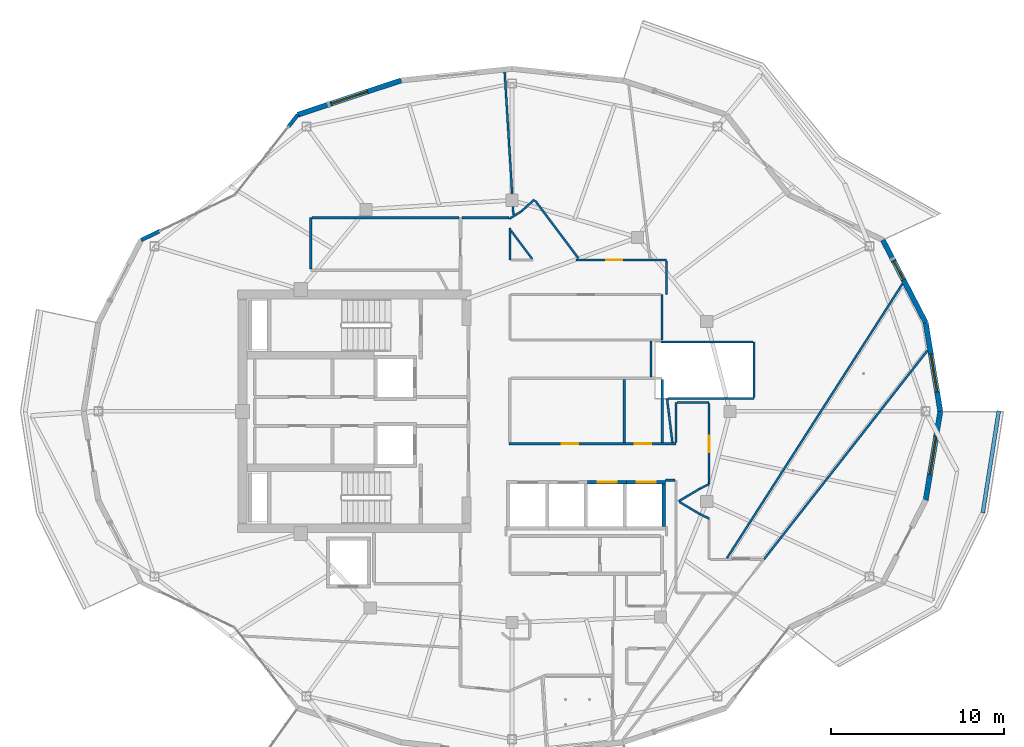
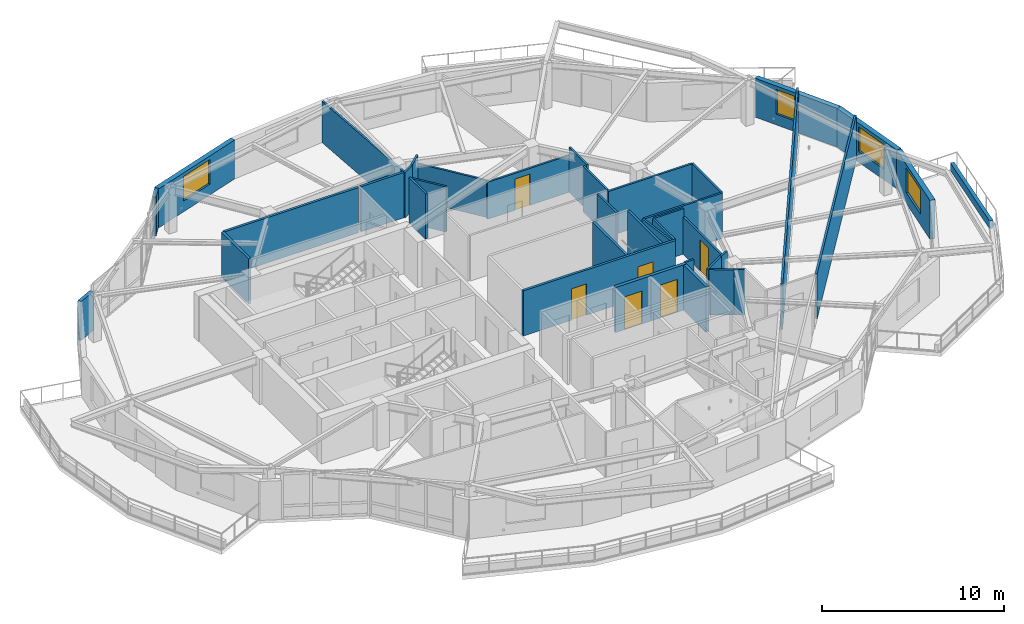
# One storey, part 10 of 19: 40 walls, 6 doors, 4 windows, 10 openings.
"""IFC4 building model written with IfcOpenShell, lengths in metres."""

from ifc_helpers import new_model, si_unit, direction, frame, frame_2d, origin, place, context, subcontext, project, spatial, rectangle, extrude, material, layer, layer_set, type_object, element, fill, save


model = new_model("IFC4")

# Units and contexts
model_context = context("Model", 3, precision=1e-05, world=origin(), true_north=direction((0.0, 1.0)))
body_context = subcontext(model_context, "Body", "Model", "MODEL_VIEW")
ifc_project = project(units=[si_unit("LENGTHUNIT", "METRE"), si_unit("AREAUNIT", "SQUARE_METRE"), si_unit("VOLUMEUNIT", "CUBIC_METRE"), si_unit("PLANEANGLEUNIT", "RADIAN"), si_unit("MASSUNIT", "GRAM", prefix="KILO")], contexts=[model_context])

# Site, building, storey
site_placement = place(None, origin())
site = spatial("IfcSite", under=ifc_project, at=site_placement, CompositionType="ELEMENT")
building_placement = place(site_placement, origin())
building = spatial("IfcBuilding", under=site, at=building_placement, Name="Kolvaren Gate Tower and Convention Centre", CompositionType="ELEMENT")
storey_placement = place(building_placement, frame((0.0, 0.0, 212.89990234375)))
storey = spatial("IfcBuildingStorey", under=building, at=storey_placement, Name="L56", CompositionType="ELEMENT", Elevation=212.89990234375)

# Walls
ifc_material_1 = material(Name="Fire-Rated Acoustic Gypsum Stud Partition", Category="gypsum")
ifc_layer_1 = layer(ifc_material_1, 0.1201171875)
ifc_layer_set_1 = layer_set([ifc_layer_1], Name="Fire-Rated Acoustic Gypsum Stud Partition")
wall_type_1 = type_object("IfcWallType", Name="ARCH-WL-PART-120", PredefinedType="PARTITIONING", material=ifc_layer_set_1)
wall_1_placement = place(storey_placement, frame((30.0, 35.75, 0.0), z_axis=(0.0, 0.0, 1.0), x_axis=(0.0, 1.0, 0.0)))
element("IfcWall", 1, at=wall_1_placement, inside=storey, type_object=wall_type_1, Name="Interior Partition WL-L56-INT-017", PredefinedType="PARTITIONING", context=body_context, shape_type="SweptSolid", body=[
    extrude(rectangle(XDim=1.8369140625, YDim=0.1201171875, at=frame_2d((0.91845703125, 0.0))), origin(), (0.0, 0.0, 1.0), 3.030029296875),
])
wall_2_placement = place(storey_placement, frame((38.800048828125, 31.1201171875, 0.0), z_axis=(0.0, 0.0, 1.0), x_axis=(0.0, 1.0, 0.0)))
element("IfcWall", 2, at=wall_2_placement, inside=storey, type_object=wall_type_1, Name="Interior Partition WL-L56-INT-022", PredefinedType="PARTITIONING", context=body_context, shape_type="SweptSolid", body=[
    extrude(rectangle(XDim=2.6298828125, YDim=0.1201171875, at=frame_2d((1.31494140625, 0.0))), origin(), (0.0, 0.0, 1.0), 3.030029296875),
])
wall_3_placement = place(storey_placement, frame((29.9599609375, 38.123046875, 0.0), z_axis=(0.0, 0.0, 1.0), x_axis=(0.852506956574, 0.522715877885, 0.0)))
element("IfcWall", 3, at=wall_3_placement, inside=storey, type_object=wall_type_1, Name="Interior Partition WL-L56-INT-031", PredefinedType="PARTITIONING", context=body_context, shape_type="SweptSolid", body=[
    extrude(rectangle(XDim=0.81884765625, YDim=0.1201171875, at=frame_2d((0.409423828125, 0.0))), origin(), (0.0, 0.0, 1.0), 3.030029296875),
])
wall_4_placement = place(storey_placement, frame((30.657958984375, 38.551025390625, 0.0), z_axis=(0.0, 0.0, 1.0), x_axis=(0.74084279818, 0.671678456097, 0.0)))
element("IfcWall", 4, at=wall_4_placement, inside=storey, type_object=wall_type_1, Name="Interior Partition WL-L56-INT-032", PredefinedType="PARTITIONING", context=body_context, shape_type="SweptSolid", body=[
    extrude(rectangle(XDim=1.027099609375, YDim=0.1201171875, at=frame_2d((0.513671875, 0.0))), origin(), (0.0, 0.0, 1.0), 3.030029296875),
])
wall_5_placement = place(storey_placement, frame((31.456298828125, 39.191162109375, 0.0), z_axis=(0.0, 0.0, 1.0), x_axis=(0.600056078533, -0.799957938029, 0.0)))
element("IfcWall", 5, at=wall_5_placement, inside=storey, type_object=wall_type_1, Name="Interior Partition WL-L56-INT-033", PredefinedType="PARTITIONING", context=body_context, shape_type="SweptSolid", body=[
    extrude(rectangle(XDim=4.17919921875, YDim=0.1201171875, at=frame_2d((2.089599609375, 0.0))), origin(), (0.0, 0.0, 1.0), 2.47802734375),
])

# Wall, opening, door
wall_6_placement = place(storey_placement, frame((33.8330078125, 35.75, 0.0), z_axis=(0.0, 0.0, 1.0), x_axis=(1.0, 0.0, 0.0)))
wall_6 = element("IfcWall", 6, at=wall_6_placement, inside=storey, type_object=wall_type_1, Name="Interior Partition WL-L56-INT-035", PredefinedType="PARTITIONING", context=body_context, shape_type="SweptSolid", body=[
    extrude(rectangle(XDim=5.217041015625, YDim=0.1201171875, at=frame_2d((2.6083984375, 0.0))), origin(), (0.0, 0.0, 1.0), 2.47802734375),
])
opening_1_placement = place(wall_6_placement, frame((1.726318359375, 0.0, 0.0)))
opening_1 = element("IfcOpeningElement", 7, at=opening_1_placement, cuts=wall_6, Name="Opening DR-01", PredefinedType="OPENING", context=body_context, shape_type="SweptSolid", body=[
    extrude(rectangle(XDim=0.949951171875, YDim=2.10009765625, at=frame_2d((0.47509765625, 1.050048828125))), frame((0.0, 0.070068359375, 0.0), z_axis=(0.0, -1.0, 0.0), x_axis=(1.0, 0.0, 0.0)), (0.0, 0.0, 1.0), 0.14013671875),
])
ifc_material_2 = material(Name="Painted Architectural Steelwork ASTM A500 Grade C 345 MPa", Category="steel")
door_type_1 = type_object("IfcDoorType", Name="ARCH-DR-RISER-950", OperationType="SINGLE_SWING_RIGHT", PredefinedType="DOOR", material=ifc_material_2)
door_1_placement = place(opening_1_placement, origin())
door_1 = element("IfcDoor", 8, at=door_1_placement, inside=storey, type_object=door_type_1, Name="Resident Quiet Study Office Door", OperationType="SINGLE_SWING_RIGHT", OverallHeight=2.10009765625, OverallWidth=0.949951171875, PredefinedType="DOOR", context=body_context, shape_type="SweptSolid", body=[
    extrude(rectangle(XDim=0.949951171875, YDim=2.10009765625, at=frame_2d((0.47509765625, 1.050048828125))), frame((0.0, 0.02490234375, 0.0), z_axis=(0.0, -1.0, 0.0), x_axis=(1.0, 0.0, 0.0)), (0.0, 0.0, 1.0), 0.050048828125),
])
fill(opening_1, door_1)

# Walls
wall_7_placement = place(storey_placement, frame((39.050048828125, 33.75, 0.0), z_axis=(0.0, 0.0, 1.0), x_axis=(0.0, 1.0, 0.0)))
element("IfcWall", 9, at=wall_7_placement, inside=storey, type_object=wall_type_1, Name="Interior Partition WL-L56-INT-037", PredefinedType="PARTITIONING", context=body_context, shape_type="SweptSolid", body=[
    extrude(rectangle(XDim=1.93798828125, YDim=0.1201171875, at=frame_2d((0.968994140625, 0.0))), origin(), (0.0, 0.0, 1.0), 3.030029296875),
])
wall_8_placement = place(storey_placement, frame((38.159912109375, 28.9970703125, 0.0), z_axis=(0.0, 0.0, 1.0), x_axis=(0.0, 1.0, 0.0)))
element("IfcWall", 10, at=wall_8_placement, inside=storey, type_object=wall_type_1, Name="Interior Partition WL-L56-INT-038", PredefinedType="PARTITIONING", context=body_context, shape_type="SweptSolid", body=[
    extrude(rectangle(XDim=2.06103515625, YDim=0.1201171875, at=frame_2d((1.030517578125, 0.0))), origin(), (0.0, 0.0, 1.0), 3.030029296875),
])
wall_9_placement = place(storey_placement, frame((39.60009765625, 25.197021484375, 0.0), z_axis=(0.0, 0.0, 1.0), x_axis=(0.0, 1.0, 0.0)))
element("IfcWall", 11, at=wall_9_placement, inside=storey, type_object=wall_type_1, Name="Interior Partition WL-L56-INT-040", PredefinedType="PARTITIONING", context=body_context, shape_type="SweptSolid", body=[
    extrude(rectangle(XDim=2.31298828125, YDim=0.1201171875, at=frame_2d((1.156494140625, 0.0))), origin(), (0.0, 0.0, 1.0), 3.030029296875),
])
wall_10_placement = place(storey_placement, frame((39.662109375, 27.510009765625, 0.0), z_axis=(0.0, 0.0, 1.0), x_axis=(1.0, 0.0, 0.0)))
element("IfcWall", 12, at=wall_10_placement, inside=storey, type_object=wall_type_1, Name="Interior Partition WL-L56-INT-041", PredefinedType="PARTITIONING", context=body_context, shape_type="SweptSolid", body=[
    extrude(rectangle(XDim=1.85791015625, YDim=0.1201171875, at=frame_2d((0.928955078125, 0.0))), origin(), (0.0, 0.0, 1.0), 3.030029296875),
])

# Wall, opening, door
wall_11_placement = place(storey_placement, frame((41.52001953125, 22.7939453125, 0.0), z_axis=(0.0, 0.0, 1.0), x_axis=(0.0, 1.0, 0.0)))
wall_11 = element("IfcWall", 13, at=wall_11_placement, inside=storey, type_object=wall_type_1, Name="Interior Partition WL-L56-INT-043", PredefinedType="PARTITIONING", context=body_context, shape_type="SweptSolid", body=[
    extrude(rectangle(XDim=4.654052734375, YDim=0.1201171875, at=frame_2d((2.3271484375, 0.0))), origin(), (0.0, 0.0, 1.0), 2.47802734375),
])
opening_2_placement = place(wall_11_placement, frame((1.85205078125, 0.0, 0.0)))
opening_2 = element("IfcOpeningElement", 14, at=opening_2_placement, cuts=wall_11, Name="Opening DR-01", PredefinedType="OPENING", context=body_context, shape_type="SweptSolid", body=[
    extrude(rectangle(XDim=0.949951171875, YDim=2.10009765625, at=frame_2d((0.47509765625, 1.050048828125))), frame((0.0, 0.070068359375, 0.0), z_axis=(0.0, -1.0, 0.0), x_axis=(1.0, 0.0, 0.0)), (0.0, 0.0, 1.0), 0.14013671875),
])
door_2_placement = place(opening_2_placement, origin())
door_2 = element("IfcDoor", 15, at=door_2_placement, inside=storey, type_object=door_type_1, Name="Resident Private Study and Home Office Door", OperationType="SINGLE_SWING_LEFT", OverallHeight=2.10009765625, OverallWidth=0.949951171875, PredefinedType="DOOR", context=body_context, shape_type="SweptSolid", body=[
    extrude(rectangle(XDim=0.949951171875, YDim=2.10009765625, at=frame_2d((0.47509765625, 1.050048828125))), frame((0.0, 0.02490234375, 0.0), z_axis=(0.0, -1.0, 0.0), x_axis=(1.0, 0.0, 0.0)), (0.0, 0.0, 1.0), 0.050048828125),
])
fill(opening_2, door_2)

# Walls
wall_12_placement = place(storey_placement, frame((40.986083984375, 22.541015625, 0.0), z_axis=(0.0, 0.0, 1.0), x_axis=(0.903729424576, 0.428104107847, 0.0)))
element("IfcWall", 16, at=wall_12_placement, inside=storey, type_object=wall_type_1, Name="Interior Partition WL-L56-INT-044", PredefinedType="PARTITIONING", context=body_context, shape_type="SweptSolid", body=[
    extrude(rectangle(XDim=0.5908203125, YDim=0.1201171875, at=frame_2d((0.29541015625, 0.0))), origin(), (0.0, 0.0, 1.0), 3.030029296875),
])
wall_13_placement = place(storey_placement, frame((39.75, 21.800048828125, 0.0), z_axis=(0.0, 0.0, 1.0), x_axis=(0.857702120906, 0.514146935996, 0.0)))
element("IfcWall", 17, at=wall_13_placement, inside=storey, type_object=wall_type_1, Name="Interior Partition WL-L56-INT-045", PredefinedType="PARTITIONING", context=body_context, shape_type="SweptSolid", body=[
    extrude(rectangle(XDim=1.441162109375, YDim=0.1201171875, at=frame_2d((0.720703125, 0.0))), origin(), (0.0, 0.0, 1.0), 3.030029296875),
])
wall_14_placement = place(storey_placement, frame((39.810302734375, 21.763916015625, 0.0), z_axis=(0.0, 0.0, 1.0), x_axis=(0.858011245414, -0.513630901273, 0.0)))
element("IfcWall", 18, at=wall_14_placement, inside=storey, type_object=wall_type_1, Name="Interior Partition WL-L56-INT-046", PredefinedType="PARTITIONING", context=body_context, shape_type="SweptSolid", body=[
    extrude(rectangle(XDim=1.370361328125, YDim=0.1201171875, at=frame_2d((0.68505859375, 0.0))), origin(), (0.0, 0.0, 1.0), 3.030029296875),
])
wall_15_placement = place(storey_placement, frame((40.986083984375, 21.06005859375, 0.0), z_axis=(0.0, 0.0, 1.0), x_axis=(0.90356951601, -0.428441512621, 0.0)))
element("IfcWall", 19, at=wall_15_placement, inside=storey, type_object=wall_type_1, Name="Interior Partition WL-L56-INT-047", PredefinedType="PARTITIONING", context=body_context, shape_type="SweptSolid", body=[
    extrude(rectangle(XDim=0.5908203125, YDim=0.1201171875, at=frame_2d((0.29541015625, 0.0))), origin(), (0.0, 0.0, 1.0), 3.030029296875),
])
wall_16_placement = place(storey_placement, frame((44.68701171875, 18.453857421875, 0.0), z_axis=(0.0, 0.0, 1.0), x_axis=(0.616533198311, 0.787328911815, 0.0)))
element("IfcWall", 20, at=wall_16_placement, inside=storey, type_object=wall_type_1, Name="Interior Partition WL-L56-INT-049 (2)", PredefinedType="PARTITIONING", context=body_context, shape_type="SweptSolid", body=[
    extrude(rectangle(XDim=15.33349609375, YDim=0.1201171875, at=frame_2d((7.666748046875, 0.0))), origin(), (0.0, 0.0, 1.0), 3.030029296875),
])
wall_17_placement = place(storey_placement, frame((39.0, 23.02001953125, 0.0), z_axis=(0.0, 0.0, 1.0), x_axis=(1.0, 0.0, 0.0)))
element("IfcWall", 21, at=wall_17_placement, inside=storey, type_object=wall_type_1, Name="Interior Partition WL-L56-INT-051", PredefinedType="PARTITIONING", context=body_context, shape_type="SweptSolid", body=[
    extrude(rectangle(XDim=0.5380859375, YDim=0.1201171875, at=frame_2d((0.26904296875, 0.0))), origin(), (0.0, 0.0, 1.0), 3.030029296875),
])
wall_18_placement = place(storey_placement, frame((30.06201171875, 37.450927734375, 0.0), z_axis=(0.0, 0.0, 1.0), x_axis=(0.599790195836, -0.800157310145, 0.0)))
element("IfcWall", 22, at=wall_18_placement, inside=storey, type_object=wall_type_1, Name="Interior Partition WL-L56-INT-058", PredefinedType="PARTITIONING", context=body_context, shape_type="SweptSolid", body=[
    extrude(rectangle(XDim=2.04833984375, YDim=0.1201171875, at=frame_2d((1.024169921875, 0.0))), origin(), (0.0, 0.0, 1.0), 3.030029296875),
])
wall_19_placement = place(storey_placement, frame((29.702392578125, 46.6025390625, 0.0), z_axis=(0.0, 0.0, 1.0), x_axis=(0.06113767321, -0.998129342778, 0.0)))
element("IfcWall", 23, at=wall_19_placement, inside=storey, type_object=wall_type_1, Name="Interior Partition WL-L56-INT-064", PredefinedType="PARTITIONING", context=body_context, shape_type="SweptSolid", body=[
    extrude(rectangle(XDim=8.27001953125, YDim=0.1201171875, at=frame_2d((4.135009765625, 0.0))), origin(), (0.0, 0.0, 1.0), 2.77001953125),
])
wall_20_placement = place(storey_placement, frame((42.54248046875, 18.511962890625, 0.0), z_axis=(0.0, 0.0, 1.0), x_axis=(0.538988222434, 0.842313300428, 0.0)))
element("IfcWall", 24, at=wall_20_placement, inside=storey, type_object=wall_type_1, Name="Interior Partition WL-L56-INT-071", PredefinedType="PARTITIONING", context=body_context, shape_type="SweptSolid", body=[
    extrude(rectangle(XDim=18.8349609375, YDim=0.1201171875, at=frame_2d((9.41748046875, 0.0))), origin(), (0.0, 0.0, 1.0), 3.030029296875),
])
wall_21_placement = place(storey_placement, frame((39.0830078125, 27.75, 0.0), z_axis=(0.0, 0.0, 1.0), x_axis=(0.121499202199, -0.992591529213, 0.0)))
element("IfcWall", 25, at=wall_21_placement, inside=storey, type_object=wall_type_1, Name="Interior Partition WL-L56-INT-075", PredefinedType="PARTITIONING", context=body_context, shape_type="SweptSolid", body=[
    extrude(rectangle(XDim=2.572021484375, YDim=0.1201171875, at=frame_2d((1.2861328125, 0.0))), origin(), (0.0, 0.0, 1.0), 3.030029296875),
])
wall_22_placement = place(storey_placement, frame((39.1455078125, 27.75, 0.0), z_axis=(0.0, 0.0, 1.0), x_axis=(1.0, 0.0, 0.0)))
element("IfcWall", 26, at=wall_22_placement, inside=storey, type_object=wall_type_1, Name="Interior Partition WL-L56-INT-076", PredefinedType="PARTITIONING", context=body_context, shape_type="SweptSolid", body=[
    extrude(rectangle(XDim=4.95458984375, YDim=0.1201171875, at=frame_2d((2.477294921875, 0.0))), origin(), (0.0, 0.0, 1.0), 3.030029296875),
])
wall_23_placement = place(storey_placement, frame((44.10009765625, 27.81201171875, 0.0), z_axis=(0.0, 0.0, 1.0), x_axis=(0.0, 1.0, 0.0)))
element("IfcWall", 27, at=wall_23_placement, inside=storey, type_object=wall_type_1, Name="Interior Partition WL-L56-INT-077", PredefinedType="PARTITIONING", context=body_context, shape_type="SweptSolid", body=[
    extrude(rectangle(XDim=3.18798828125, YDim=0.1201171875, at=frame_2d((1.593994140625, 0.0))), origin(), (0.0, 0.0, 1.0), 3.030029296875),
])
wall_24_placement = place(storey_placement, frame((38.738037109375, 31.0, 0.0), z_axis=(0.0, 0.0, 1.0), x_axis=(1.0, 0.0, 0.0)))
element("IfcWall", 28, at=wall_24_placement, inside=storey, type_object=wall_type_1, Name="Interior Partition WL-L56-INT-078", PredefinedType="PARTITIONING", context=body_context, shape_type="SweptSolid", body=[
    extrude(rectangle(XDim=5.300048828125, YDim=0.1201171875, at=frame_2d((2.64990234375, 0.0))), origin(), (0.0, 0.0, 1.0), 3.030029296875),
])
ifc_material_3 = material(Name="Bogota Sabana Bush-Hammered Sandstone Cladding", Category="masonry")
ifc_layer_2 = layer(ifc_material_3, 0.219970703125)
ifc_layer_set_2 = layer_set([ifc_layer_2], Name="Bogota Sabana Bush-Hammered Sandstone Cladding")
wall_type_2 = type_object("IfcWallType", Name="ARCH-WL-PIER-220", PredefinedType="SOLIDWALL", material=ifc_layer_set_2)
wall_25_placement = place(storey_placement, frame((17.210205078125, 43.457763671875, 0.0), z_axis=(0.0, 0.0, 1.0), x_axis=(0.616466126167, 0.787381429352, 0.0)))
element("IfcWall", 29, at=wall_25_placement, inside=storey, type_object=wall_type_2, Name="Tower L56 Unitised Curtain Wall CW-RES-UNIT Bay 08 Right Column Pier Wrap", PredefinedType="SOLIDWALL", context=body_context, shape_type="SweptSolid", body=[
    extrude(rectangle(XDim=0.875732421875, YDim=0.219970703125, at=frame_2d((0.43798828125, 0.0))), origin(), (0.0, 0.0, 1.0), 2.60498046875),
])
wall_26_placement = place(storey_placement, frame((8.69091796875, 36.89990234375, 0.0), z_axis=(0.0, 0.0, 1.0), x_axis=(0.901264843027, 0.433268603437, 0.0)))
element("IfcWall", 30, at=wall_26_placement, inside=storey, type_object=wall_type_2, Name="Tower L56 Unitised Curtain Wall CW-RES-UNIT Bay 09 Left Column Pier Wrap", PredefinedType="SOLIDWALL", context=body_context, shape_type="SweptSolid", body=[
    extrude(rectangle(XDim=1.18115234375, YDim=0.219970703125, at=frame_2d((0.590576171875, 0.0))), origin(), (0.0, 0.0, 1.0), 2.60498046875),
])
ifc_material_4 = material(Name="Piedmont Cream Honed Limestone Cladding", Category="masonry")
ifc_layer_3 = layer(ifc_material_4, 0.219970703125)
ifc_layer_set_3 = layer_set([ifc_layer_3], Name="Piedmont Cream Honed Limestone Cladding")
wall_type_3 = type_object("IfcWallType", Name="ARCH-WL-PLANTER-220", PredefinedType="PARAPET", material=ifc_layer_set_3)
wall_27_placement = place(storey_placement, frame((57.331787109375, 21.1376953125, 0.0), z_axis=(0.0, 0.0, 1.0), x_axis=(0.1550711793, 0.987903299595, 0.0)))
element("IfcWall", 31, at=wall_27_placement, inside=storey, type_object=wall_type_3, Name="Vertical-Forest Balcony Stone Planter Kerb PK-L56-4.3", PredefinedType="PARAPET", context=body_context, shape_type="SweptSolid", body=[
    extrude(rectangle(XDim=5.963623046875, YDim=0.219970703125, at=frame_2d((2.98193359375, 0.0))), origin(), (0.0, 0.0, 1.0), 0.52001953125),
])

# Wall, opening, door
ifc_material_5 = material(Name="Autoclaved Aerated Masonry Blockwork Class 4 (4.0 MPa)", Category="masonry")
ifc_layer_4 = layer(ifc_material_5, 0.199951171875)
ifc_layer_set_4 = layer_set([ifc_layer_4], Name="Autoclaved Aerated Masonry Blockwork Class 4 (4.0 MPa)")
wall_type_4 = type_object("IfcWallType", Name="ARCH-WL-SHAFT-200", PredefinedType="SOLIDWALL", material=ifc_layer_set_4)
wall_28_placement = place(storey_placement, frame((34.5, 22.89990234375, 0.0), z_axis=(0.0, 0.0, 1.0), x_axis=(1.0, 0.0, 0.0)))
wall_28 = element("IfcWall", 32, at=wall_28_placement, inside=storey, type_object=wall_type_4, Name="Elevator PL-11 L56 Fire Shaft Wall N", PredefinedType="SOLIDWALL", context=body_context, shape_type="SweptSolid", body=[
    extrude(rectangle(XDim=2.25, YDim=0.199951171875, at=frame_2d((1.125, 0.0))), origin(), (0.0, 0.0, 1.0), 3.030029296875),
])
opening_3_placement = place(wall_28_placement, frame((0.574951171875, 0.0, 0.0)))
opening_3 = element("IfcOpeningElement", 33, at=opening_3_placement, cuts=wall_28, Name="Opening LD", PredefinedType="OPENING", context=body_context, shape_type="SweptSolid", body=[
    extrude(rectangle(XDim=1.10009765625, YDim=2.199951171875, at=frame_2d((0.550048828125, 1.10009765625))), frame((0.0, 0.10986328125, 0.0), z_axis=(0.0, -1.0, 0.0), x_axis=(1.0, 0.0, 0.0)), (0.0, 0.0, 1.0), 0.219970703125),
])
ifc_material_6 = material(Name="Brushed Stainless Steel Grade 316L", Category="steel")
door_type_2 = type_object("IfcDoorType", Name="ARCH-DR-LIFT-1100", OperationType="SLIDING_TO_LEFT", PredefinedType="DOOR", material=ifc_material_6)
door_3_placement = place(opening_3_placement, origin())
door_3 = element("IfcDoor", 34, at=door_3_placement, inside=storey, type_object=door_type_2, Name="Elevator PL-11 L56 Sliding Landing Door", OperationType="SLIDING_TO_LEFT", OverallHeight=2.199951171875, OverallWidth=1.10009765625, PredefinedType="DOOR", context=body_context, shape_type="SweptSolid", body=[
    extrude(rectangle(XDim=1.10009765625, YDim=2.199951171875, at=frame_2d((0.550048828125, 1.10009765625))), frame((0.0, 0.02490234375, 0.0), z_axis=(0.0, -1.0, 0.0), x_axis=(1.0, 0.0, 0.0)), (0.0, 0.0, 1.0), 0.050048828125),
])
fill(opening_3, door_3)

wall_29_placement = place(storey_placement, frame((36.75, 22.89990234375, 0.0), z_axis=(0.0, 0.0, 1.0), x_axis=(1.0, 0.0, 0.0)))
wall_29 = element("IfcWall", 35, at=wall_29_placement, inside=storey, type_object=wall_type_4, Name="Elevator PL-12 L56 Fire Shaft Wall N", PredefinedType="SOLIDWALL", context=body_context, shape_type="SweptSolid", body=[
    extrude(rectangle(XDim=2.25, YDim=0.199951171875, at=frame_2d((1.125, 0.0))), origin(), (0.0, 0.0, 1.0), 3.030029296875),
])
opening_4_placement = place(wall_29_placement, frame((0.574951171875, 0.0, 0.0)))
opening_4 = element("IfcOpeningElement", 36, at=opening_4_placement, cuts=wall_29, Name="Opening LD", PredefinedType="OPENING", context=body_context, shape_type="SweptSolid", body=[
    extrude(rectangle(XDim=1.10009765625, YDim=2.199951171875, at=frame_2d((0.550048828125, 1.10009765625))), frame((0.0, 0.10986328125, 0.0), z_axis=(0.0, -1.0, 0.0), x_axis=(1.0, 0.0, 0.0)), (0.0, 0.0, 1.0), 0.219970703125),
])
door_4_placement = place(opening_4_placement, origin())
door_4 = element("IfcDoor", 37, at=door_4_placement, inside=storey, type_object=door_type_2, Name="Elevator PL-12 L56 Sliding Landing Door", OperationType="SLIDING_TO_LEFT", OverallHeight=2.199951171875, OverallWidth=1.10009765625, PredefinedType="DOOR", context=body_context, shape_type="SweptSolid", body=[
    extrude(rectangle(XDim=1.10009765625, YDim=2.199951171875, at=frame_2d((0.550048828125, 1.10009765625))), frame((0.0, 0.02490234375, 0.0), z_axis=(0.0, -1.0, 0.0), x_axis=(1.0, 0.0, 0.0)), (0.0, 0.0, 1.0), 0.050048828125),
])
fill(opening_4, door_4)

# Wall
wall_30_placement = place(storey_placement, frame((38.89990234375, 20.360107421875, 0.0), z_axis=(0.0, 0.0, 1.0), x_axis=(0.0, 1.0, 0.0)))
element("IfcWall", 38, at=wall_30_placement, inside=storey, type_object=wall_type_4, Name="Elevator PL-12 L56 Fire Shaft Wall E", PredefinedType="SOLIDWALL", context=body_context, shape_type="SweptSolid", body=[
    extrude(rectangle(XDim=2.429931640625, YDim=0.199951171875, at=frame_2d((1.21484375, 0.0))), origin(), (0.0, 0.0, 1.0), 3.030029296875),
])

# Wall, opening, window
ifc_layer_5 = layer(ifc_material_4, 0.300048828125)
ifc_layer_set_5 = layer_set([ifc_layer_5], Name="Piedmont Cream Honed Limestone Cladding")
wall_type_5 = type_object("IfcWallType", Name="ARCH-WL-STONE-300", PredefinedType="SOLIDWALL", material=ifc_layer_set_5)
wall_31_placement = place(storey_placement, frame((54.03173828125, 32.12451171875, 0.0), z_axis=(0.0, 0.0, 1.0), x_axis=(0.16237087798, -0.986729799886, 0.0)))
wall_31 = element("IfcWall", 39, at=wall_31_placement, inside=storey, type_object=wall_type_5, Name="Tower L56 Honed Stone Spandrel Wall EW-00", PredefinedType="SOLIDWALL", context=body_context, shape_type="SweptSolid", body=[
    extrude(rectangle(XDim=5.193359375, YDim=0.300048828125, at=frame_2d((2.5966796875, 0.0))), origin(), (0.0, 0.0, 1.0), 2.60498046875),
])
opening_5_placement = place(wall_31_placement, frame((1.85009765625, 0.0, 0.719970703125)))
opening_5 = element("IfcOpeningElement", 40, at=opening_5_placement, cuts=wall_31, Name="Opening W-03", PredefinedType="OPENING", context=body_context, shape_type="SweptSolid", body=[
    extrude(rectangle(XDim=2.199951171875, YDim=1.64990234375, at=frame_2d((1.10009765625, 0.824951171875))), frame((0.0, 0.159912109375, 0.0), z_axis=(0.0, -1.0, 0.0), x_axis=(1.0, 0.0, 0.0)), (0.0, 0.0, 1.0), 0.320068359375),
])
ifc_material_7 = material(Name="Low-E Triple Insulated Glazing Unit 44 mm", Category="glass")
window_type_1 = type_object("IfcWindowType", Name="ARCH-WN-RES-2200", PartitioningType="SINGLE_PANEL", PredefinedType="WINDOW", material=ifc_material_7)
window_1_placement = place(opening_5_placement, origin())
window_1 = element("IfcWindow", 41, at=window_1_placement, inside=storey, type_object=window_type_1, Name="Tower L56 Punched Stone Facade Window W-00", OverallHeight=1.64990234375, OverallWidth=2.199951171875, PartitioningType="SINGLE_PANEL", PredefinedType="WINDOW", context=body_context, shape_type="SweptSolid", body=[
    extrude(rectangle(XDim=2.199951171875, YDim=1.64990234375, at=frame_2d((1.10009765625, 0.824951171875))), frame((0.0, 0.030029296875, 0.0), z_axis=(0.0, -1.0, 0.0), x_axis=(1.0, 0.0, 0.0)), (0.0, 0.0, 1.0), 0.06005859375),
])
fill(opening_5, window_1)

wall_32_placement = place(storey_placement, frame((51.55908203125, 36.89990234375, 0.0), z_axis=(0.0, 0.0, 1.0), x_axis=(0.459808219482, -0.888018243786, 0.0)))
wall_32 = element("IfcWall", 42, at=wall_32_placement, inside=storey, type_object=wall_type_5, Name="Tower L56 Honed Stone Spandrel Wall EW-01", PredefinedType="SOLIDWALL", context=body_context, shape_type="SweptSolid", body=[
    extrude(rectangle(XDim=5.377685546875, YDim=0.300048828125, at=frame_2d((2.68896484375, 0.0))), origin(), (0.0, 0.0, 1.0), 2.60498046875),
])
opening_6_placement = place(wall_32_placement, frame((1.3798828125, 0.0, 0.719970703125)))
opening_6 = element("IfcOpeningElement", 43, at=opening_6_placement, cuts=wall_32, Name="Opening W-04", PredefinedType="OPENING", context=body_context, shape_type="SweptSolid", body=[
    extrude(rectangle(XDim=1.199951171875, YDim=1.64990234375, at=frame_2d((0.60009765625, 0.824951171875))), frame((0.0, 0.159912109375, 0.0), z_axis=(0.0, -1.0, 0.0), x_axis=(1.0, 0.0, 0.0)), (0.0, 0.0, 1.0), 0.320068359375),
])
window_type_2 = type_object("IfcWindowType", Name="ARCH-WN-NARROW-1200", PartitioningType="SINGLE_PANEL", PredefinedType="WINDOW", material=ifc_material_7)
window_2_placement = place(opening_6_placement, origin())
window_2 = element("IfcWindow", 44, at=window_2_placement, inside=storey, type_object=window_type_2, Name="Tower L56 Punched Stone Facade Window W-01", OverallHeight=1.64990234375, OverallWidth=1.199951171875, PartitioningType="SINGLE_PANEL", PredefinedType="WINDOW", context=body_context, shape_type="SweptSolid", body=[
    extrude(rectangle(XDim=1.199951171875, YDim=1.64990234375, at=frame_2d((0.60009765625, 0.824951171875))), frame((0.0, 0.030029296875, 0.0), z_axis=(0.0, -1.0, 0.0), x_axis=(1.0, 0.0, 0.0)), (0.0, 0.0, 1.0), 0.06005859375),
])
fill(opening_6, window_2)

wall_33_placement = place(storey_placement, frame((17.75, 44.147216796875, 0.0), z_axis=(0.0, 0.0, 1.0), x_axis=(0.949240877604, 0.314550085495, 0.0)))
wall_33 = element("IfcWall", 45, at=wall_33_placement, inside=storey, type_object=wall_type_5, Name="Tower L56 Honed Stone Spandrel Wall EW-07", PredefinedType="SOLIDWALL", context=body_context, shape_type="SweptSolid", body=[
    extrude(rectangle(XDim=6.288330078125, YDim=0.300048828125, at=frame_2d((3.14404296875, 0.0))), origin(), (0.0, 0.0, 1.0), 2.60498046875),
])
opening_7_placement = place(wall_33_placement, frame((2.0439453125, 0.0, 0.719970703125)))
opening_7 = element("IfcOpeningElement", 46, at=opening_7_placement, cuts=wall_33, Name="Opening W-03", PredefinedType="OPENING", context=body_context, shape_type="SweptSolid", body=[
    extrude(rectangle(XDim=2.199951171875, YDim=1.64990234375, at=frame_2d((1.10009765625, 0.824951171875))), frame((0.0, 0.159912109375, 0.0), z_axis=(0.0, -1.0, 0.0), x_axis=(1.0, 0.0, 0.0)), (0.0, 0.0, 1.0), 0.320068359375),
])
window_3_placement = place(opening_7_placement, origin())
window_3 = element("IfcWindow", 47, at=window_3_placement, inside=storey, type_object=window_type_1, Name="Tower L56 Punched Stone Facade Window W-07", OverallHeight=1.64990234375, OverallWidth=2.199951171875, PartitioningType="SINGLE_PANEL", PredefinedType="WINDOW", context=body_context, shape_type="SweptSolid", body=[
    extrude(rectangle(XDim=2.199951171875, YDim=1.64990234375, at=frame_2d((1.10009765625, 0.824951171875))), frame((0.0, 0.030029296875, 0.0), z_axis=(0.0, -1.0, 0.0), x_axis=(1.0, 0.0, 0.0)), (0.0, 0.0, 1.0), 0.06005859375),
])
fill(opening_7, window_3)

wall_34_placement = place(storey_placement, frame((54.03173828125, 21.87548828125, 0.0), z_axis=(0.0, 0.0, 1.0), x_axis=(0.16237087798, 0.986729799886, 0.0)))
wall_34 = element("IfcWall", 48, at=wall_34_placement, inside=storey, type_object=wall_type_5, Name="Tower L56 Honed Stone Spandrel Wall EW-23", PredefinedType="SOLIDWALL", context=body_context, shape_type="SweptSolid", body=[
    extrude(rectangle(XDim=5.193359375, YDim=0.300048828125, at=frame_2d((2.5966796875, 0.0))), origin(), (0.0, 0.0, 1.0), 2.60498046875),
])
opening_8_placement = place(wall_34_placement, frame((1.4970703125, 0.0, 0.719970703125)))
opening_8 = element("IfcOpeningElement", 49, at=opening_8_placement, cuts=wall_34, Name="Opening W-03", PredefinedType="OPENING", context=body_context, shape_type="SweptSolid", body=[
    extrude(rectangle(XDim=2.199951171875, YDim=1.64990234375, at=frame_2d((1.10009765625, 0.824951171875))), frame((0.0, 0.159912109375, 0.0), z_axis=(0.0, -1.0, 0.0), x_axis=(1.0, 0.0, 0.0)), (0.0, 0.0, 1.0), 0.320068359375),
])
window_4_placement = place(opening_8_placement, origin())
window_4 = element("IfcWindow", 50, at=window_4_placement, inside=storey, type_object=window_type_1, Name="Tower L56 Punched Stone Facade Window W-23", OverallHeight=1.64990234375, OverallWidth=2.199951171875, PartitioningType="SINGLE_PANEL", PredefinedType="WINDOW", context=body_context, shape_type="SweptSolid", body=[
    extrude(rectangle(XDim=2.199951171875, YDim=1.64990234375, at=frame_2d((1.10009765625, 0.824951171875))), frame((0.0, 0.030029296875, 0.0), z_axis=(0.0, -1.0, 0.0), x_axis=(1.0, 0.0, 0.0)), (0.0, 0.0, 1.0), 0.06005859375),
])
fill(opening_8, window_4)

# Wall, openings, doors
ifc_material_8 = material(Name="Moisture-Resistant Cement-Board Acoustic Partition", Category="gypsum")
ifc_layer_6 = layer(ifc_material_8, 0.14990234375)
ifc_layer_set_6 = layer_set([ifc_layer_6], Name="Moisture-Resistant Cement-Board Acoustic Partition")
wall_type_6 = type_object("IfcWallType", Name="ARCH-WL-WET-150", PredefinedType="PARTITIONING", material=ifc_layer_set_6)
wall_35_placement = place(storey_placement, frame((29.9599609375, 25.1201171875, 0.0), z_axis=(0.0, 0.0, 1.0), x_axis=(1.0, 0.0, 0.0)))
wall_35 = element("IfcWall", 51, at=wall_35_placement, inside=storey, type_object=wall_type_6, Name="Interior Partition WL-L56-INT-013", PredefinedType="PARTITIONING", context=body_context, shape_type="SweptSolid", body=[
    extrude(rectangle(XDim=9.64013671875, YDim=0.14990234375, at=frame_2d((4.820068359375, 0.0))), origin(), (0.0, 0.0, 1.0), 3.030029296875),
])
opening_9_placement = place(wall_35_placement, frame((3.050048828125, 0.0, 0.0)))
opening_9 = element("IfcOpeningElement", 52, at=opening_9_placement, cuts=wall_35, Name="Opening DR-01", PredefinedType="OPENING", context=body_context, shape_type="SweptSolid", body=[
    extrude(rectangle(XDim=0.949951171875, YDim=2.10009765625, at=frame_2d((0.47509765625, 1.050048828125))), frame((0.0, 0.0849609375, 0.0), z_axis=(0.0, -1.0, 0.0), x_axis=(1.0, 0.0, 0.0)), (0.0, 0.0, 1.0), 0.169921875),
])
opening_10_placement = place(wall_35_placement, frame((7.264892578125, 0.0, 0.0)))
opening_10 = element("IfcOpeningElement", 53, at=opening_10_placement, cuts=wall_35, Name="Opening DR-01", PredefinedType="OPENING", context=body_context, shape_type="SweptSolid", body=[
    extrude(rectangle(XDim=0.949951171875, YDim=2.10009765625, at=frame_2d((0.47509765625, 1.050048828125))), frame((0.0, 0.0849609375, 0.0), z_axis=(0.0, -1.0, 0.0), x_axis=(1.0, 0.0, 0.0)), (0.0, 0.0, 1.0), 0.169921875),
])
door_5_placement = place(opening_9_placement, origin())
door_5 = element("IfcDoor", 54, at=door_5_placement, inside=storey, type_object=door_type_1, Name="Accessible Universal Washroom Door", OperationType="SINGLE_SWING_RIGHT", OverallHeight=2.10009765625, OverallWidth=0.949951171875, PredefinedType="DOOR", context=body_context, shape_type="SweptSolid", body=[
    extrude(rectangle(XDim=0.949951171875, YDim=2.10009765625, at=frame_2d((0.47509765625, 1.050048828125))), frame((0.0, 0.02490234375, 0.0), z_axis=(0.0, -1.0, 0.0), x_axis=(1.0, 0.0, 0.0)), (0.0, 0.0, 1.0), 0.050048828125),
])
fill(opening_9, door_5)
door_6_placement = place(opening_10_placement, origin())
door_6 = element("IfcDoor", 55, at=door_6_placement, inside=storey, type_object=door_type_1, Name="Floor Janitor and Supply Store Door", OperationType="SINGLE_SWING_LEFT", OverallHeight=2.10009765625, OverallWidth=0.949951171875, PredefinedType="DOOR", context=body_context, shape_type="SweptSolid", body=[
    extrude(rectangle(XDim=0.949951171875, YDim=2.10009765625, at=frame_2d((0.47509765625, 1.050048828125))), frame((0.0, 0.02490234375, 0.0), z_axis=(0.0, -1.0, 0.0), x_axis=(1.0, 0.0, 0.0)), (0.0, 0.0, 1.0), 0.050048828125),
])
fill(opening_10, door_6)

# Walls
for number, where, z_axis, x_axis, name in (
    (56, (36.60009765625, 25.197021484375, 0.0), (0.0, 0.0, 1.0), (0.0, 1.0, 0.0), "Interior Partition WL-L56-INT-019"),
    (57, (38.800048828125, 25.197021484375, 0.0), (0.0, 0.0, 1.0), (0.0, 1.0, 0.0), "Interior Partition WL-L56-INT-021"),
):
    element("IfcWall", number, at=place(storey_placement, frame(where, z_axis=z_axis, x_axis=x_axis)), inside=storey, type_object=wall_type_6, Name=name, PredefinedType="PARTITIONING", context=body_context, shape_type="SweptSolid", body=[
        extrude(rectangle(XDim=3.64599609375, YDim=0.14990234375, at=frame_2d((1.822998046875, 0.0))), origin(), (0.0, 0.0, 1.0), 3.030029296875),
    ])
wall_36_placement = place(storey_placement, frame((18.5, 35.237060546875, 0.0), z_axis=(0.0, 0.0, 1.0), x_axis=(0.0, 1.0, 0.0)))
element("IfcWall", 58, at=wall_36_placement, inside=storey, type_object=wall_type_6, Name="Interior Partition WL-L56-INT-029", PredefinedType="PARTITIONING", context=body_context, shape_type="SweptSolid", body=[
    extrude(rectangle(XDim=2.962890625, YDim=0.14990234375, at=frame_2d((1.4814453125, 0.0))), origin(), (0.0, 0.0, 1.0), 3.030029296875),
])
wall_37_placement = place(storey_placement, frame((18.576904296875, 38.199951171875, 0.0), z_axis=(0.0, 0.0, 1.0), x_axis=(1.0, 0.0, 0.0)))
element("IfcWall", 59, at=wall_37_placement, inside=storey, type_object=wall_type_6, Name="Interior Partition WL-L56-INT-030", PredefinedType="PARTITIONING", context=body_context, shape_type="SweptSolid", body=[
    extrude(rectangle(XDim=8.49609375, YDim=0.14990234375, at=frame_2d((4.248046875, 0.0))), origin(), (0.0, 0.0, 1.0), 3.030029296875),
])
wall_38_placement = place(storey_placement, frame((27.22705078125, 38.199951171875, 0.0), z_axis=(0.0, 0.0, 1.0), x_axis=(1.0, 0.0, 0.0)))
element("IfcWall", 60, at=wall_38_placement, inside=storey, type_object=wall_type_6, Name="Interior Partition WL-L56-INT-030 (2)", PredefinedType="PARTITIONING", context=body_context, shape_type="SweptSolid", body=[
    extrude(rectangle(XDim=2.73291015625, YDim=0.14990234375, at=frame_2d((1.366455078125, 0.0))), origin(), (0.0, 0.0, 1.0), 3.030029296875),
])

save(model, "model.ifc")
